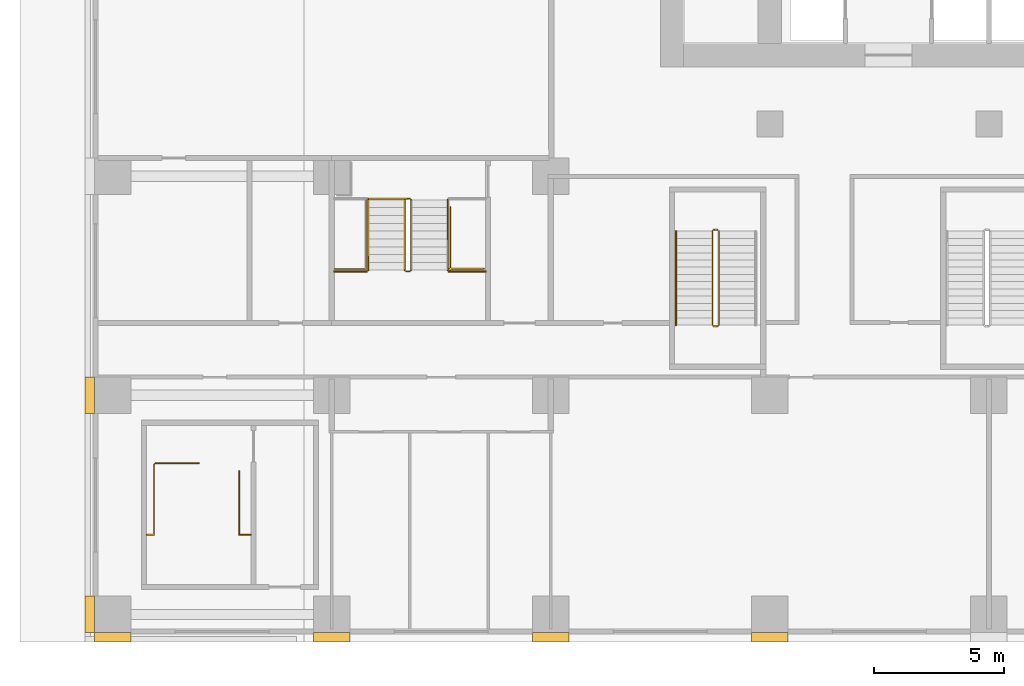
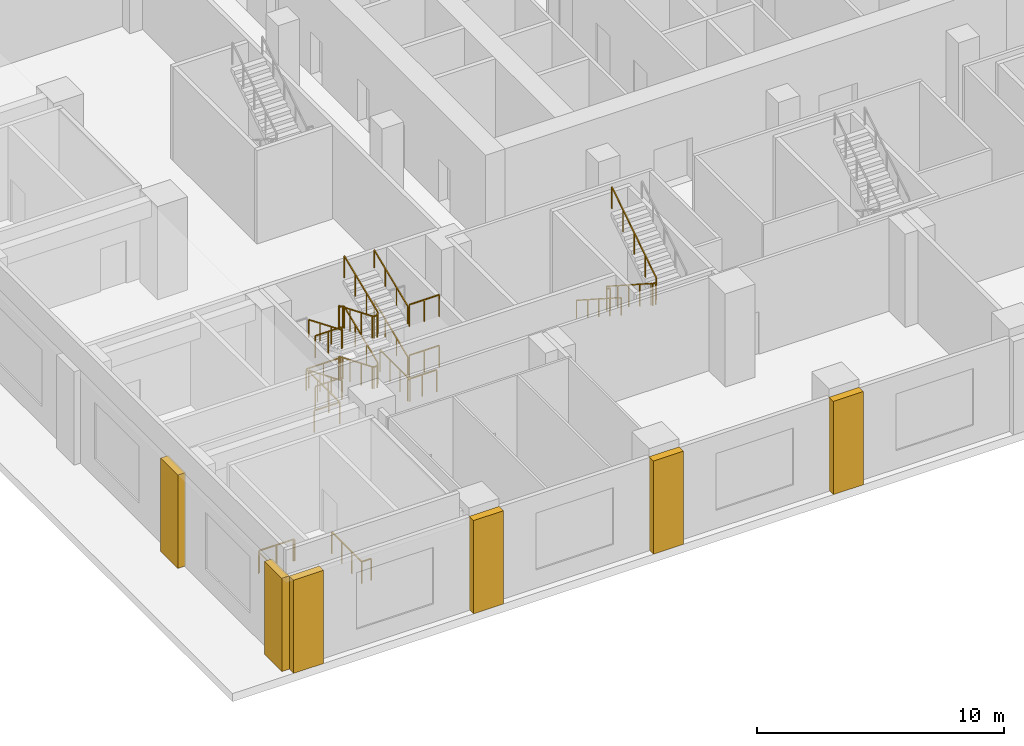
# One storey, part 20 of 29: 16 railings, 6 coverings.
"""IFC4 building model written with IfcOpenShell, lengths in metres."""

from ifc_helpers import new_model, si_unit, direction, frame, origin, origin_2d, place, context, subcontext, project, spatial, polyline, rectangle, outline, extrude, material, type_object, element, save


model = new_model("IFC4")

# Units and contexts
model_context = context("Model", 3, precision=1e-05, world=origin(), true_north=direction((0.0, 1.0)))
body_context = subcontext(model_context, "Body", "Model", "MODEL_VIEW")
ifc_project = project(units=[si_unit("LENGTHUNIT", "METRE"), si_unit("AREAUNIT", "SQUARE_METRE"), si_unit("VOLUMEUNIT", "CUBIC_METRE"), si_unit("PLANEANGLEUNIT", "RADIAN"), si_unit("MASSUNIT", "GRAM", prefix="KILO")], contexts=[model_context])

# Site, building, storey
site_placement = place(None, origin())
site = spatial("IfcSite", under=ifc_project, at=site_placement, CompositionType="ELEMENT")
building_placement = place(site_placement, origin())
building = spatial("IfcBuilding", under=site, at=building_placement, Name="Vermilion Ogive Tower", CompositionType="ELEMENT")
storey_placement = place(building_placement, frame((0.0, 0.0, 7.5)))
storey = spatial("IfcBuildingStorey", under=building, at=storey_placement, Name="L01", CompositionType="ELEMENT", Elevation=7.5)

# Railings
ifc_material_1 = material(Name="Steel S355 painted", Category="steel")
railing_type_1 = type_object("IfcRailingType", Name="Stair guard 1100", PredefinedType="GUARDRAIL", material=ifc_material_1)
railing_1_placement = place(storey_placement, frame((-10.39990234375, -14.64990234375, 0.0)))
element("IfcRailing", 1, at=railing_1_placement, inside=storey, type_object=railing_type_1, Name="L01 ST3 stair guard 4", PredefinedType="GUARDRAIL", context=body_context, shape_type="SweptSolid", body=[
    extrude(rectangle(XDim=0.048095703125, YDim=0.048095703125, at=origin_2d()), frame((0.0, 0.0, 1.076171875), z_axis=(-1.0, 0.0, 0.0), x_axis=(0.0, -1.0, 0.0)), (0.0, 0.0, 1.0), 0.150146484375),
    extrude(rectangle(XDim=0.048095703125, YDim=0.048095703125, at=origin_2d()), frame((-0.150146484375, 0.0, 1.076171875), z_axis=(-0.260684529273, -0.260684529273, 0.929562882432), x_axis=(0.707106781187, -0.707106781187, 0.0)), (0.0, 0.0, 1.0), 0.19189453125),
    extrude(rectangle(XDim=0.048095703125, YDim=0.048095703125, at=origin_2d()), frame((-0.2001953125, -0.050048828125, 1.25439453125), z_axis=(0.0, -0.840414717549, 0.541943818607), x_axis=(1.0, 0.0, 0.0)), (0.0, 0.0, 1.0), 4.28369140625),
    extrude(rectangle(XDim=0.048095703125, YDim=0.048095703125, at=origin_2d()), frame((-0.2001953125, -3.650146484375, 3.576171875), z_axis=(0.707106781187, -0.707106781187, 0.0), x_axis=(0.707106781187, 0.707106781187, 0.0)), (0.0, 0.0, 1.0), 0.07080078125),
    extrude(rectangle(XDim=0.048095703125, YDim=0.048095703125, at=origin_2d()), frame((-0.150146484375, -3.7001953125, 3.576171875), z_axis=(1.0, 0.0, 0.0), x_axis=(0.0, 1.0, 0.0)), (0.0, 0.0, 1.0), 0.150146484375),
    extrude(rectangle(XDim=0.048095703125, YDim=0.048095703125, at=origin_2d()), frame((0.0, -3.7001953125, 3.576171875), z_axis=(0.25949872427, 0.26077077684, 0.929870428634), x_axis=(-0.708833529934, 0.705375805398, 0.0)), (0.0, 0.0, 1.0), 0.19189453125),
    extrude(rectangle(XDim=0.048095703125, YDim=0.048095703125, at=origin_2d()), frame((0.0498046875, -3.650146484375, 3.75439453125), z_axis=(0.0, 0.840414717549, 0.541943818607), x_axis=(-1.0, 0.0, 0.0)), (0.0, 0.0, 1.0), 4.28369140625),
    extrude(rectangle(XDim=0.0419921875, YDim=0.0419921875, at=origin_2d()), origin(), (0.0, 0.0, 1.0), 1.052001953125),
    extrude(rectangle(XDim=0.0419921875, YDim=0.0419921875, at=origin_2d()), frame((-0.150146484375, 0.0, 0.0)), (0.0, 0.0, 1.0), 1.052001953125),
    extrude(rectangle(XDim=0.0419921875, YDim=0.0419921875, at=origin_2d()), frame((-0.2001953125, -0.050048828125, 0.178466796875)), (0.0, 0.0, 1.0), 1.052001953125),
    extrude(rectangle(XDim=0.0419921875, YDim=0.0419921875, at=origin_2d()), frame((-0.2001953125, -0.9501953125, 0.7587890625)), (0.0, 0.0, 1.0), 1.052001953125),
    extrude(rectangle(XDim=0.0419921875, YDim=0.0419921875, at=origin_2d()), frame((-0.2001953125, -1.85009765625, 1.33935546875)), (0.0, 0.0, 1.0), 1.052001953125),
    extrude(rectangle(XDim=0.0419921875, YDim=0.0419921875, at=origin_2d()), frame((-0.2001953125, -2.75, 1.919677734375)), (0.0, 0.0, 1.0), 1.052001953125),
    extrude(rectangle(XDim=0.0419921875, YDim=0.0419921875, at=origin_2d()), frame((-0.2001953125, -3.650146484375, 2.5)), (0.0, 0.0, 1.0), 1.052001953125),
    extrude(rectangle(XDim=0.0419921875, YDim=0.0419921875, at=origin_2d()), frame((-0.150146484375, -3.7001953125, 2.5)), (0.0, 0.0, 1.0), 1.052001953125),
    extrude(rectangle(XDim=0.0419921875, YDim=0.0419921875, at=origin_2d()), frame((0.0, -3.7001953125, 2.5)), (0.0, 0.0, 1.0), 1.052001953125),
    extrude(rectangle(XDim=0.0419921875, YDim=0.0419921875, at=origin_2d()), frame((0.0498046875, -3.650146484375, 2.678466796875)), (0.0, 0.0, 1.0), 1.052001953125),
    extrude(rectangle(XDim=0.0419921875, YDim=0.0419921875, at=origin_2d()), frame((0.0498046875, -2.75, 3.2587890625)), (0.0, 0.0, 1.0), 1.052001953125),
    extrude(rectangle(XDim=0.0419921875, YDim=0.0419921875, at=origin_2d()), frame((0.0498046875, -1.85009765625, 3.83935546875)), (0.0, 0.0, 1.0), 1.052001953125),
    extrude(rectangle(XDim=0.0419921875, YDim=0.0419921875, at=origin_2d()), frame((0.0498046875, -0.9501953125, 4.419677734375)), (0.0, 0.0, 1.0), 1.052001953125),
    extrude(rectangle(XDim=0.0419921875, YDim=0.0419921875, at=origin_2d()), frame((0.0498046875, -0.050048828125, 5.0)), (0.0, 0.0, 1.0), 1.052001953125),
])
railing_2_placement = place(storey_placement, frame((-22.199951171875, -13.449951171875, 0.0)))
element("IfcRailing", 2, at=railing_2_placement, inside=storey, type_object=railing_type_1, Name="L01 PS4 stair guard 8", PredefinedType="GUARDRAIL", context=body_context, shape_type="SweptSolid", body=[
    extrude(rectangle(XDim=0.048095703125, YDim=0.048095703125, at=origin_2d()), frame((0.0, 0.0, 1.076171875), z_axis=(-1.0, 0.0, 0.0), x_axis=(0.0, -1.0, 0.0)), (0.0, 0.0, 1.0), 0.150146484375),
    extrude(rectangle(XDim=0.048095703125, YDim=0.048095703125, at=origin_2d()), frame((-0.150146484375, 0.0, 1.076171875), z_axis=(-0.346918206498, -0.348618785942, 0.870696675133), x_axis=(0.708833529934, -0.705375805398, 0.0)), (0.0, 0.0, 1.0), 0.1435546875),
    extrude(rectangle(XDim=0.048095703125, YDim=0.048095703125, at=origin_2d()), frame((-0.199951171875, -0.050048828125, 1.201171875), z_axis=(0.0, -0.923074453586, 0.384621311341), x_axis=(1.0, 0.0, 0.0)), (0.0, 0.0, 1.0), 2.925048828125),
    extrude(rectangle(XDim=0.048095703125, YDim=0.048095703125, at=origin_2d()), frame((-0.199951171875, -2.75, 2.326171875), z_axis=(0.705375805398, -0.708833529934, 0.0), x_axis=(0.708833529934, 0.705375805398, 0.0)), (0.0, 0.0, 1.0), 0.070556640625),
    extrude(rectangle(XDim=0.048095703125, YDim=0.048095703125, at=origin_2d()), frame((-0.150146484375, -2.800048828125, 2.326171875), z_axis=(1.0, 0.0, 0.0), x_axis=(0.0, 1.0, 0.0)), (0.0, 0.0, 1.0), 0.150146484375),
    extrude(rectangle(XDim=0.048095703125, YDim=0.048095703125, at=origin_2d()), frame((0.0, -2.800048828125, 2.326171875), z_axis=(0.34841279274, 0.34841279274, 0.870182194549), x_axis=(-0.707106781187, 0.707106781187, 0.0)), (0.0, 0.0, 1.0), 0.1435546875),
    extrude(rectangle(XDim=0.048095703125, YDim=0.048095703125, at=origin_2d()), frame((0.050048828125, -2.75, 2.451171875), z_axis=(0.0, 0.923074453586, 0.384621311341), x_axis=(-1.0, 0.0, 0.0)), (0.0, 0.0, 1.0), 2.925048828125),
    extrude(rectangle(XDim=0.048095703125, YDim=0.048095703125, at=origin_2d()), frame((0.050048828125, -0.050048828125, 3.576171875), z_axis=(-0.707106781187, 0.707106781187, 0.0), x_axis=(-0.707106781187, -0.707106781187, 0.0)), (0.0, 0.0, 1.0), 0.07080078125),
    extrude(rectangle(XDim=0.048095703125, YDim=0.048095703125, at=origin_2d()), frame((0.0, 0.0, 3.576171875), z_axis=(-1.0, 0.0, 0.0), x_axis=(0.0, -1.0, 0.0)), (0.0, 0.0, 1.0), 0.150146484375),
    extrude(rectangle(XDim=0.048095703125, YDim=0.048095703125, at=origin_2d()), frame((-0.150146484375, 0.0, 3.576171875), z_axis=(-0.346918206498, -0.348618785942, 0.870696675133), x_axis=(0.708833529934, -0.705375805398, 0.0)), (0.0, 0.0, 1.0), 0.1435546875),
    extrude(rectangle(XDim=0.048095703125, YDim=0.048095703125, at=origin_2d()), frame((-0.199951171875, -0.050048828125, 3.701171875), z_axis=(0.0, -0.923074453586, 0.384621311341), x_axis=(1.0, 0.0, 0.0)), (0.0, 0.0, 1.0), 2.925048828125),
    extrude(rectangle(XDim=0.048095703125, YDim=0.048095703125, at=origin_2d()), frame((-0.199951171875, -2.75, 4.826171875), z_axis=(0.705375805398, -0.708833529934, 0.0), x_axis=(0.708833529934, 0.705375805398, 0.0)), (0.0, 0.0, 1.0), 0.070556640625),
    extrude(rectangle(XDim=0.048095703125, YDim=0.048095703125, at=origin_2d()), frame((-0.150146484375, -2.800048828125, 4.826171875), z_axis=(1.0, 0.0, 0.0), x_axis=(0.0, 1.0, 0.0)), (0.0, 0.0, 1.0), 0.150146484375),
    extrude(rectangle(XDim=0.048095703125, YDim=0.048095703125, at=origin_2d()), frame((0.0, -2.800048828125, 4.826171875), z_axis=(0.34841279274, 0.34841279274, 0.870182194549), x_axis=(-0.707106781187, 0.707106781187, 0.0)), (0.0, 0.0, 1.0), 0.1435546875),
    extrude(rectangle(XDim=0.048095703125, YDim=0.048095703125, at=origin_2d()), frame((0.050048828125, -2.75, 4.951171875), z_axis=(0.0, 0.923074453586, 0.384621311341), x_axis=(-1.0, 0.0, 0.0)), (0.0, 0.0, 1.0), 2.925048828125),
    extrude(rectangle(XDim=0.0419921875, YDim=0.0419921875, at=origin_2d()), origin(), (0.0, 0.0, 1.0), 1.052001953125),
    extrude(rectangle(XDim=0.0419921875, YDim=0.0419921875, at=origin_2d()), frame((-0.150146484375, 0.0, 0.0)), (0.0, 0.0, 1.0), 1.052001953125),
    extrude(rectangle(XDim=0.0419921875, YDim=0.0419921875, at=origin_2d()), frame((-0.199951171875, -0.050048828125, 0.125)), (0.0, 0.0, 1.0), 1.052001953125),
    extrude(rectangle(XDim=0.0419921875, YDim=0.0419921875, at=origin_2d()), frame((-0.199951171875, -0.949951171875, 0.5)), (0.0, 0.0, 1.0), 1.052001953125),
    extrude(rectangle(XDim=0.0419921875, YDim=0.0419921875, at=origin_2d()), frame((-0.199951171875, -1.85009765625, 0.875)), (0.0, 0.0, 1.0), 1.052001953125),
    extrude(rectangle(XDim=0.0419921875, YDim=0.0419921875, at=origin_2d()), frame((-0.199951171875, -2.75, 1.25)), (0.0, 0.0, 1.0), 1.052001953125),
    extrude(rectangle(XDim=0.0419921875, YDim=0.0419921875, at=origin_2d()), frame((-0.150146484375, -2.800048828125, 1.25)), (0.0, 0.0, 1.0), 1.052001953125),
    extrude(rectangle(XDim=0.0419921875, YDim=0.0419921875, at=origin_2d()), frame((0.0, -2.800048828125, 1.25)), (0.0, 0.0, 1.0), 1.052001953125),
    extrude(rectangle(XDim=0.0419921875, YDim=0.0419921875, at=origin_2d()), frame((0.050048828125, -2.75, 1.375)), (0.0, 0.0, 1.0), 1.052001953125),
    extrude(rectangle(XDim=0.0419921875, YDim=0.0419921875, at=origin_2d()), frame((0.050048828125, -1.85009765625, 1.75)), (0.0, 0.0, 1.0), 1.052001953125),
    extrude(rectangle(XDim=0.0419921875, YDim=0.0419921875, at=origin_2d()), frame((0.050048828125, -0.949951171875, 2.125)), (0.0, 0.0, 1.0), 1.052001953125),
    extrude(rectangle(XDim=0.0419921875, YDim=0.0419921875, at=origin_2d()), frame((0.050048828125, -0.050048828125, 2.5)), (0.0, 0.0, 1.0), 1.052001953125),
    extrude(rectangle(XDim=0.0419921875, YDim=0.0419921875, at=origin_2d()), frame((0.0, 0.0, 2.5)), (0.0, 0.0, 1.0), 1.052001953125),
    extrude(rectangle(XDim=0.0419921875, YDim=0.0419921875, at=origin_2d()), frame((-0.150146484375, 0.0, 2.5)), (0.0, 0.0, 1.0), 1.052001953125),
    extrude(rectangle(XDim=0.0419921875, YDim=0.0419921875, at=origin_2d()), frame((-0.199951171875, -0.050048828125, 2.625)), (0.0, 0.0, 1.0), 1.052001953125),
    extrude(rectangle(XDim=0.0419921875, YDim=0.0419921875, at=origin_2d()), frame((-0.199951171875, -0.949951171875, 3.0)), (0.0, 0.0, 1.0), 1.052001953125),
    extrude(rectangle(XDim=0.0419921875, YDim=0.0419921875, at=origin_2d()), frame((-0.199951171875, -1.85009765625, 3.375)), (0.0, 0.0, 1.0), 1.052001953125),
    extrude(rectangle(XDim=0.0419921875, YDim=0.0419921875, at=origin_2d()), frame((-0.199951171875, -2.75, 3.75)), (0.0, 0.0, 1.0), 1.052001953125),
    extrude(rectangle(XDim=0.0419921875, YDim=0.0419921875, at=origin_2d()), frame((-0.150146484375, -2.800048828125, 3.75)), (0.0, 0.0, 1.0), 1.052001953125),
    extrude(rectangle(XDim=0.0419921875, YDim=0.0419921875, at=origin_2d()), frame((0.0, -2.800048828125, 3.75)), (0.0, 0.0, 1.0), 1.052001953125),
    extrude(rectangle(XDim=0.0419921875, YDim=0.0419921875, at=origin_2d()), frame((0.050048828125, -2.75, 3.875)), (0.0, 0.0, 1.0), 1.052001953125),
    extrude(rectangle(XDim=0.0419921875, YDim=0.0419921875, at=origin_2d()), frame((0.050048828125, -1.85009765625, 4.25)), (0.0, 0.0, 1.0), 1.052001953125),
    extrude(rectangle(XDim=0.0419921875, YDim=0.0419921875, at=origin_2d()), frame((0.050048828125, -0.949951171875, 4.625)), (0.0, 0.0, 1.0), 1.052001953125),
    extrude(rectangle(XDim=0.0419921875, YDim=0.0419921875, at=origin_2d()), frame((0.050048828125, -0.050048828125, 5.0)), (0.0, 0.0, 1.0), 1.052001953125),
])
railing_3_placement = place(storey_placement, frame((-31.949951171875, -23.60009765625, 0.0)))
element("IfcRailing", 3, at=railing_3_placement, inside=storey, type_object=railing_type_1, Name="L01 PWS top well guard 1", PredefinedType="GUARDRAIL", context=body_context, shape_type="SweptSolid", body=[
    extrude(rectangle(XDim=0.048095703125, YDim=0.048095703125, at=origin_2d()), frame((0.0, 0.0, 1.076171875), z_axis=(1.0, 0.0, 0.0), x_axis=(0.0, 1.0, 0.0)), (0.0, 0.0, 1.0), 1.64990234375),
    extrude(rectangle(XDim=0.0419921875, YDim=0.0419921875, at=origin_2d()), origin(), (0.0, 0.0, 1.0), 1.052001953125),
    extrude(rectangle(XDim=0.0419921875, YDim=0.0419921875, at=origin_2d()), frame((0.824951171875, 0.0, 0.0)), (0.0, 0.0, 1.0), 1.052001953125),
    extrude(rectangle(XDim=0.0419921875, YDim=0.0419921875, at=origin_2d()), frame((1.64990234375, 0.0, 0.0)), (0.0, 0.0, 1.0), 1.052001953125),
])
railing_4_placement = place(storey_placement, frame((-25.099853515625, -16.25, 1.25)))
element("IfcRailing", 4, at=railing_4_placement, inside=storey, type_object=railing_type_1, Name="L01 landing guard", PredefinedType="GUARDRAIL", context=body_context, shape_type="SweptSolid", body=[
    extrude(rectangle(XDim=0.048095703125, YDim=0.048095703125, at=origin_2d()), frame((0.0, 0.0, 1.076171875), z_axis=(1.0, 0.0, 0.0), x_axis=(0.0, 1.0, 0.0)), (0.0, 0.0, 1.0), 1.249755859375),
    extrude(rectangle(XDim=0.0419921875, YDim=0.0419921875, at=origin_2d()), origin(), (0.0, 0.0, 1.0), 1.052001953125),
    extrude(rectangle(XDim=0.0419921875, YDim=0.0419921875, at=origin_2d()), frame((0.625, 0.0, 0.0)), (0.0, 0.0, 1.0), 1.052001953125),
    extrude(rectangle(XDim=0.0419921875, YDim=0.0419921875, at=origin_2d()), frame((1.249755859375, 0.0, 0.0)), (0.0, 0.0, 1.0), 1.052001953125),
])
railing_5_placement = place(storey_placement, frame((-20.699951171875, -16.25, 1.25)))
element("IfcRailing", 5, at=railing_5_placement, inside=storey, type_object=railing_type_1, Name="L01 landing guard", PredefinedType="GUARDRAIL", context=body_context, shape_type="SweptSolid", body=[
    extrude(rectangle(XDim=0.048095703125, YDim=0.048095703125, at=origin_2d()), frame((0.0, 0.0, 1.076171875), z_axis=(1.0, 0.0, 0.0), x_axis=(0.0, 1.0, 0.0)), (0.0, 0.0, 1.0), 1.39990234375),
    extrude(rectangle(XDim=0.0419921875, YDim=0.0419921875, at=origin_2d()), origin(), (0.0, 0.0, 1.0), 1.052001953125),
    extrude(rectangle(XDim=0.0419921875, YDim=0.0419921875, at=origin_2d()), frame((0.699951171875, 0.0, 0.0)), (0.0, 0.0, 1.0), 1.052001953125),
    extrude(rectangle(XDim=0.0419921875, YDim=0.0419921875, at=origin_2d()), frame((1.39990234375, 0.0, 0.0)), (0.0, 0.0, 1.0), 1.052001953125),
])
railing_6_placement = place(storey_placement, frame((-25.099853515625, -16.25, 3.75)))
element("IfcRailing", 6, at=railing_6_placement, inside=storey, type_object=railing_type_1, Name="L01 landing guard", PredefinedType="GUARDRAIL", context=body_context, shape_type="SweptSolid", body=[
    extrude(rectangle(XDim=0.048095703125, YDim=0.048095703125, at=origin_2d()), frame((0.0, 0.0, 1.076171875), z_axis=(1.0, 0.0, 0.0), x_axis=(0.0, 1.0, 0.0)), (0.0, 0.0, 1.0), 1.249755859375),
    extrude(rectangle(XDim=0.0419921875, YDim=0.0419921875, at=origin_2d()), origin(), (0.0, 0.0, 1.0), 1.052001953125),
    extrude(rectangle(XDim=0.0419921875, YDim=0.0419921875, at=origin_2d()), frame((0.625, 0.0, 0.0)), (0.0, 0.0, 1.0), 1.052001953125),
    extrude(rectangle(XDim=0.0419921875, YDim=0.0419921875, at=origin_2d()), frame((1.249755859375, 0.0, 0.0)), (0.0, 0.0, 1.0), 1.052001953125),
])
railing_7_placement = place(storey_placement, frame((-20.699951171875, -16.25, 3.75)))
element("IfcRailing", 7, at=railing_7_placement, inside=storey, type_object=railing_type_1, Name="L01 landing guard", PredefinedType="GUARDRAIL", context=body_context, shape_type="SweptSolid", body=[
    extrude(rectangle(XDim=0.048095703125, YDim=0.048095703125, at=origin_2d()), frame((0.0, 0.0, 1.076171875), z_axis=(1.0, 0.0, 0.0), x_axis=(0.0, 1.0, 0.0)), (0.0, 0.0, 1.0), 1.39990234375),
    extrude(rectangle(XDim=0.0419921875, YDim=0.0419921875, at=origin_2d()), origin(), (0.0, 0.0, 1.0), 1.052001953125),
    extrude(rectangle(XDim=0.0419921875, YDim=0.0419921875, at=origin_2d()), frame((0.699951171875, 0.0, 0.0)), (0.0, 0.0, 1.0), 1.052001953125),
    extrude(rectangle(XDim=0.0419921875, YDim=0.0419921875, at=origin_2d()), frame((1.39990234375, 0.0, 0.0)), (0.0, 0.0, 1.0), 1.052001953125),
])
railing_8_placement = place(storey_placement, frame((-25.081787109375, -16.156982421875, 0.0)))
element("IfcRailing", 8, at=railing_8_placement, inside=storey, type_object=railing_type_1, Name="L01 stair opening guard", PredefinedType="GUARDRAIL", context=body_context, shape_type="SweptSolid", body=[
    extrude(rectangle(XDim=0.048095703125, YDim=0.048095703125, at=origin_2d()), frame((0.0, 0.0, 1.076171875), z_axis=(1.0, 0.0, 0.0), x_axis=(0.0, 1.0, 0.0)), (0.0, 0.0, 1.0), 1.18994140625),
    extrude(rectangle(XDim=0.048095703125, YDim=0.048095703125, at=origin_2d()), frame((1.18994140625, 0.0, 1.076171875), z_axis=(0.0, 1.0, 0.0), x_axis=(-1.0, 0.0, 0.0)), (0.0, 0.0, 1.0), 2.7001953125),
    extrude(rectangle(XDim=0.048095703125, YDim=0.048095703125, at=origin_2d()), frame((1.18994140625, 2.7001953125, 1.076171875), z_axis=(1.0, 0.0, 0.0), x_axis=(0.0, 1.0, 0.0)), (0.0, 0.0, 1.0), 1.60009765625),
    extrude(rectangle(XDim=0.0419921875, YDim=0.0419921875, at=origin_2d()), origin(), (0.0, 0.0, 1.0), 1.052001953125),
    extrude(rectangle(XDim=0.0419921875, YDim=0.0419921875, at=origin_2d()), frame((1.18994140625, 0.0, 0.0)), (0.0, 0.0, 1.0), 1.052001953125),
    extrude(rectangle(XDim=0.0419921875, YDim=0.0419921875, at=origin_2d()), frame((1.18994140625, 0.900146484375, 0.0)), (0.0, 0.0, 1.0), 1.052001953125),
    extrude(rectangle(XDim=0.0419921875, YDim=0.0419921875, at=origin_2d()), frame((1.18994140625, 1.800048828125, 0.0)), (0.0, 0.0, 1.0), 1.052001953125),
    extrude(rectangle(XDim=0.0419921875, YDim=0.0419921875, at=origin_2d()), frame((1.18994140625, 2.7001953125, 0.0)), (0.0, 0.0, 1.0), 1.052001953125),
    extrude(rectangle(XDim=0.0419921875, YDim=0.0419921875, at=origin_2d()), frame((1.989990234375, 2.7001953125, 0.0)), (0.0, 0.0, 1.0), 1.052001953125),
    extrude(rectangle(XDim=0.0419921875, YDim=0.0419921875, at=origin_2d()), frame((2.7900390625, 2.7001953125, 0.0)), (0.0, 0.0, 1.0), 1.052001953125),
])
railing_9_placement = place(storey_placement, frame((-20.639892578125, -13.775634765625, 0.0)))
element("IfcRailing", 9, at=railing_9_placement, inside=storey, type_object=railing_type_1, Name="L01 stair opening guard", PredefinedType="GUARDRAIL", context=body_context, shape_type="SweptSolid", body=[
    extrude(rectangle(XDim=0.048095703125, YDim=0.048095703125, at=origin_2d()), frame((0.0, 0.0, 1.076171875), z_axis=(0.0, -1.0, 0.0), x_axis=(1.0, 0.0, 0.0)), (0.0, 0.0, 1.0), 2.42431640625),
    extrude(rectangle(XDim=0.048095703125, YDim=0.048095703125, at=origin_2d()), frame((0.0, -2.42431640625, 1.076171875), z_axis=(-0.707106781187, 0.707106781187, 0.0), x_axis=(-0.707106781187, -0.707106781187, 0.0)), (0.0, 0.0, 1.0), 0.0849609375),
    extrude(rectangle(XDim=0.048095703125, YDim=0.048095703125, at=origin_2d()), frame((-0.06005859375, -2.3642578125, 1.076171875), z_axis=(1.0, 0.0, 0.0), x_axis=(0.0, 1.0, 0.0)), (0.0, 0.0, 1.0), 1.33984375),
    extrude(rectangle(XDim=0.0419921875, YDim=0.0419921875, at=origin_2d()), origin(), (0.0, 0.0, 1.0), 1.052001953125),
    extrude(rectangle(XDim=0.0419921875, YDim=0.0419921875, at=origin_2d()), frame((0.0, -0.80810546875, 0.0)), (0.0, 0.0, 1.0), 1.052001953125),
    extrude(rectangle(XDim=0.0419921875, YDim=0.0419921875, at=origin_2d()), frame((0.0, -1.6162109375, 0.0)), (0.0, 0.0, 1.0), 1.052001953125),
    extrude(rectangle(XDim=0.0419921875, YDim=0.0419921875, at=origin_2d()), frame((0.0, -2.42431640625, 0.0)), (0.0, 0.0, 1.0), 1.052001953125),
    extrude(rectangle(XDim=0.0419921875, YDim=0.0419921875, at=origin_2d()), frame((-0.06005859375, -2.3642578125, 0.0)), (0.0, 0.0, 1.0), 1.052001953125),
    extrude(rectangle(XDim=0.0419921875, YDim=0.0419921875, at=origin_2d()), frame((0.60986328125, -2.3642578125, 0.0)), (0.0, 0.0, 1.0), 1.052001953125),
    extrude(rectangle(XDim=0.0419921875, YDim=0.0419921875, at=origin_2d()), frame((1.27978515625, -2.3642578125, 0.0)), (0.0, 0.0, 1.0), 1.052001953125),
])
railing_10_placement = place(storey_placement, frame((-28.740966796875, -23.9150390625, 0.0)))
element("IfcRailing", 10, at=railing_10_placement, inside=storey, type_object=railing_type_1, Name="L01 stair opening guard", PredefinedType="GUARDRAIL", context=body_context, shape_type="SweptSolid", body=[
    extrude(rectangle(XDim=0.048095703125, YDim=0.048095703125, at=origin_2d()), frame((0.0, 0.0, 1.076171875), z_axis=(0.0, -1.0, 0.0), x_axis=(1.0, 0.0, 0.0)), (0.0, 0.0, 1.0), 2.42431640625),
    extrude(rectangle(XDim=0.048095703125, YDim=0.048095703125, at=origin_2d()), frame((0.0, -2.42431640625, 1.076171875), z_axis=(1.0, 0.0, 0.0), x_axis=(0.0, 1.0, 0.0)), (0.0, 0.0, 1.0), 0.440185546875),
    extrude(rectangle(XDim=0.0419921875, YDim=0.0419921875, at=origin_2d()), origin(), (0.0, 0.0, 1.0), 1.052001953125),
    extrude(rectangle(XDim=0.0419921875, YDim=0.0419921875, at=origin_2d()), frame((0.0, -0.80810546875, 0.0)), (0.0, 0.0, 1.0), 1.052001953125),
    extrude(rectangle(XDim=0.0419921875, YDim=0.0419921875, at=origin_2d()), frame((0.0, -1.6162109375, 0.0)), (0.0, 0.0, 1.0), 1.052001953125),
    extrude(rectangle(XDim=0.0419921875, YDim=0.0419921875, at=origin_2d()), frame((0.0, -2.42431640625, 0.0)), (0.0, 0.0, 1.0), 1.052001953125),
    extrude(rectangle(XDim=0.0419921875, YDim=0.0419921875, at=origin_2d()), frame((0.440185546875, -2.42431640625, 0.0)), (0.0, 0.0, 1.0), 1.052001953125),
])
railing_11_placement = place(storey_placement, frame((-32.299560546875, -26.343505859375, 0.0)))
element("IfcRailing", 11, at=railing_11_placement, inside=storey, type_object=railing_type_1, Name="L01 stair opening guard", PredefinedType="GUARDRAIL", context=body_context, shape_type="SweptSolid", body=[
    extrude(rectangle(XDim=0.048095703125, YDim=0.048095703125, at=origin_2d()), frame((0.0, 0.0, 1.076171875), z_axis=(1.0, 0.0, 0.0), x_axis=(0.0, 1.0, 0.0)), (0.0, 0.0, 1.0), 0.2900390625),
    extrude(rectangle(XDim=0.048095703125, YDim=0.048095703125, at=origin_2d()), frame((0.2900390625, 0.0, 1.076171875), z_axis=(0.0, 1.0, 0.0), x_axis=(-1.0, 0.0, 0.0)), (0.0, 0.0, 1.0), 2.699951171875),
    extrude(rectangle(XDim=0.048095703125, YDim=0.048095703125, at=origin_2d()), frame((0.2900390625, 2.699951171875, 1.076171875), z_axis=(0.742688444175, 0.669637121797, 0.0), x_axis=(-0.669637121797, 0.742688444175, 0.0)), (0.0, 0.0, 1.0), 0.080322265625),
    extrude(rectangle(XDim=0.048095703125, YDim=0.048095703125, at=origin_2d()), frame((0.349609375, 2.753662109375, 1.076171875), z_axis=(1.0, 0.0, 0.0), x_axis=(0.0, 1.0, 0.0)), (0.0, 0.0, 1.0), 1.599853515625),
    extrude(rectangle(XDim=0.0419921875, YDim=0.0419921875, at=origin_2d()), origin(), (0.0, 0.0, 1.0), 1.052001953125),
    extrude(rectangle(XDim=0.0419921875, YDim=0.0419921875, at=origin_2d()), frame((0.2900390625, 0.0, 0.0)), (0.0, 0.0, 1.0), 1.052001953125),
    extrude(rectangle(XDim=0.0419921875, YDim=0.0419921875, at=origin_2d()), frame((0.2900390625, 0.89990234375, 0.0)), (0.0, 0.0, 1.0), 1.052001953125),
    extrude(rectangle(XDim=0.0419921875, YDim=0.0419921875, at=origin_2d()), frame((0.2900390625, 1.800048828125, 0.0)), (0.0, 0.0, 1.0), 1.052001953125),
    extrude(rectangle(XDim=0.0419921875, YDim=0.0419921875, at=origin_2d()), frame((0.2900390625, 2.699951171875, 0.0)), (0.0, 0.0, 1.0), 1.052001953125),
    extrude(rectangle(XDim=0.0419921875, YDim=0.0419921875, at=origin_2d()), frame((0.349609375, 2.753662109375, 0.0)), (0.0, 0.0, 1.0), 1.052001953125),
    extrude(rectangle(XDim=0.0419921875, YDim=0.0419921875, at=origin_2d()), frame((1.1494140625, 2.753662109375, 0.0)), (0.0, 0.0, 1.0), 1.052001953125),
    extrude(rectangle(XDim=0.0419921875, YDim=0.0419921875, at=origin_2d()), frame((1.949462890625, 2.753662109375, 0.0)), (0.0, 0.0, 1.0), 1.052001953125),
])
ifc_material_2 = material(Name="Stainless steel", Category="steel")
railing_type_2 = type_object("IfcRailingType", Name="Stair handrail 900", PredefinedType="HANDRAIL", material=ifc_material_2)
railing_12_placement = place(storey_placement, frame((-12.0, -14.699951171875, 0.178466796875)))
element("IfcRailing", 12, at=railing_12_placement, inside=storey, type_object=railing_type_2, Name="L01 ST3 stair handrail 1", PredefinedType="HANDRAIL", context=body_context, shape_type="SweptSolid", body=[
    extrude(rectangle(XDim=0.048095703125, YDim=0.048095703125, at=origin_2d()), frame((0.0, 0.0, 0.8759765625), z_axis=(0.0, -0.840414717549, 0.541943818607), x_axis=(1.0, 0.0, 0.0)), (0.0, 0.0, 1.0), 4.28369140625),
    extrude(rectangle(XDim=0.0419921875, YDim=0.0419921875, at=origin_2d()), origin(), (0.0, 0.0, 1.0), 0.851806640625),
    extrude(rectangle(XDim=0.0419921875, YDim=0.0419921875, at=origin_2d()), frame((0.0, -0.89990234375, 0.580322265625)), (0.0, 0.0, 1.0), 0.851806640625),
    extrude(rectangle(XDim=0.0419921875, YDim=0.0419921875, at=origin_2d()), frame((0.0, -1.800048828125, 1.16064453125)), (0.0, 0.0, 1.0), 0.851806640625),
    extrude(rectangle(XDim=0.0419921875, YDim=0.0419921875, at=origin_2d()), frame((0.0, -2.7001953125, 1.7412109375)), (0.0, 0.0, 1.0), 0.851806640625),
    extrude(rectangle(XDim=0.0419921875, YDim=0.0419921875, at=origin_2d()), frame((0.0, -3.60009765625, 2.321533203125)), (0.0, 0.0, 1.0), 0.851806640625),
])
railing_13_placement = place(storey_placement, frame((-23.800048828125, -13.5, 0.125)))
element("IfcRailing", 13, at=railing_13_placement, inside=storey, type_object=railing_type_2, Name="L01 PS4 stair handrail 1", PredefinedType="HANDRAIL", context=body_context, shape_type="SweptSolid", body=[
    extrude(rectangle(XDim=0.048095703125, YDim=0.048095703125, at=origin_2d()), frame((0.0, 0.0, 0.8759765625), z_axis=(0.0, -0.923074453586, 0.384621311341), x_axis=(1.0, 0.0, 0.0)), (0.0, 0.0, 1.0), 2.925048828125),
    extrude(rectangle(XDim=0.0419921875, YDim=0.0419921875, at=origin_2d()), origin(), (0.0, 0.0, 1.0), 0.851806640625),
    extrude(rectangle(XDim=0.0419921875, YDim=0.0419921875, at=origin_2d()), frame((0.0, -0.89990234375, 0.375)), (0.0, 0.0, 1.0), 0.851806640625),
    extrude(rectangle(XDim=0.0419921875, YDim=0.0419921875, at=origin_2d()), frame((0.0, -1.800048828125, 0.75)), (0.0, 0.0, 1.0), 0.851806640625),
    extrude(rectangle(XDim=0.0419921875, YDim=0.0419921875, at=origin_2d()), frame((0.0, -2.699951171875, 1.125)), (0.0, 0.0, 1.0), 0.851806640625),
])
railing_14_placement = place(storey_placement, frame((-20.75, -16.199951171875, 1.375)))
element("IfcRailing", 14, at=railing_14_placement, inside=storey, type_object=railing_type_2, Name="L01 PS4 stair handrail 2", PredefinedType="HANDRAIL", context=body_context, shape_type="SweptSolid", body=[
    extrude(rectangle(XDim=0.048095703125, YDim=0.048095703125, at=origin_2d()), frame((0.0, 0.0, 0.8759765625), z_axis=(0.0, 0.923074453586, 0.384621311341), x_axis=(-1.0, 0.0, 0.0)), (0.0, 0.0, 1.0), 2.925048828125),
    extrude(rectangle(XDim=0.0419921875, YDim=0.0419921875, at=origin_2d()), origin(), (0.0, 0.0, 1.0), 0.851806640625),
    extrude(rectangle(XDim=0.0419921875, YDim=0.0419921875, at=origin_2d()), frame((0.0, 0.89990234375, 0.375)), (0.0, 0.0, 1.0), 0.851806640625),
    extrude(rectangle(XDim=0.0419921875, YDim=0.0419921875, at=origin_2d()), frame((0.0, 1.800048828125, 0.75)), (0.0, 0.0, 1.0), 0.851806640625),
    extrude(rectangle(XDim=0.0419921875, YDim=0.0419921875, at=origin_2d()), frame((0.0, 2.699951171875, 1.125)), (0.0, 0.0, 1.0), 0.851806640625),
])
railing_15_placement = place(storey_placement, frame((-23.800048828125, -13.5, 2.625)))
element("IfcRailing", 15, at=railing_15_placement, inside=storey, type_object=railing_type_2, Name="L01 PS4 stair handrail 3", PredefinedType="HANDRAIL", context=body_context, shape_type="SweptSolid", body=[
    extrude(rectangle(XDim=0.048095703125, YDim=0.048095703125, at=origin_2d()), frame((0.0, 0.0, 0.8759765625), z_axis=(0.0, -0.923074453586, 0.384621311341), x_axis=(1.0, 0.0, 0.0)), (0.0, 0.0, 1.0), 2.925048828125),
    extrude(rectangle(XDim=0.0419921875, YDim=0.0419921875, at=origin_2d()), origin(), (0.0, 0.0, 1.0), 0.851806640625),
    extrude(rectangle(XDim=0.0419921875, YDim=0.0419921875, at=origin_2d()), frame((0.0, -0.89990234375, 0.375)), (0.0, 0.0, 1.0), 0.851806640625),
    extrude(rectangle(XDim=0.0419921875, YDim=0.0419921875, at=origin_2d()), frame((0.0, -1.800048828125, 0.75)), (0.0, 0.0, 1.0), 0.851806640625),
    extrude(rectangle(XDim=0.0419921875, YDim=0.0419921875, at=origin_2d()), frame((0.0, -2.699951171875, 1.125)), (0.0, 0.0, 1.0), 0.851806640625),
])
railing_16_placement = place(storey_placement, frame((-20.75, -16.199951171875, 3.875)))
element("IfcRailing", 16, at=railing_16_placement, inside=storey, type_object=railing_type_2, Name="L01 PS4 stair handrail 4", PredefinedType="HANDRAIL", context=body_context, shape_type="SweptSolid", body=[
    extrude(rectangle(XDim=0.048095703125, YDim=0.048095703125, at=origin_2d()), frame((0.0, 0.0, 0.8759765625), z_axis=(0.0, 0.923074453586, 0.384621311341), x_axis=(-1.0, 0.0, 0.0)), (0.0, 0.0, 1.0), 2.925048828125),
    extrude(rectangle(XDim=0.0419921875, YDim=0.0419921875, at=origin_2d()), origin(), (0.0, 0.0, 1.0), 0.851806640625),
    extrude(rectangle(XDim=0.0419921875, YDim=0.0419921875, at=origin_2d()), frame((0.0, 0.89990234375, 0.375)), (0.0, 0.0, 1.0), 0.851806640625),
    extrude(rectangle(XDim=0.0419921875, YDim=0.0419921875, at=origin_2d()), frame((0.0, 1.800048828125, 0.75)), (0.0, 0.0, 1.0), 0.851806640625),
    extrude(rectangle(XDim=0.0419921875, YDim=0.0419921875, at=origin_2d()), frame((0.0, 2.699951171875, 1.125)), (0.0, 0.0, 1.0), 0.851806640625),
])

# Coverings
ifc_material_3 = material(Name="Stone cladding", Category="masonry")
covering_type = type_object("IfcCoveringType", Name="Stone pier", PredefinedType="CLADDING", material=ifc_material_3)
covering_1_placement = place(storey_placement, origin())
element("IfcCovering", 17, at=covering_1_placement, inside=storey, type_object=covering_type, Name="Stone pier P-084-294", PredefinedType="CLADDING", context=body_context, shape_type="SweptSolid", body=[
    extrude(outline(polyline([(-7.699951171875, -30.10009765625), (-7.699951171875, -30.449951171875), (-9.10009765625, -30.449951171875), (-9.10009765625, -30.10009765625), (-7.699951171875, -30.10009765625), (-7.699951171875, -30.10009765625)])), origin(), (0.0, 0.0, 1.0), 4.60009765625),
])
covering_2_placement = place(storey_placement, origin())
element("IfcCovering", 18, at=covering_2_placement, inside=storey, type_object=covering_type, Name="Stone pier P-168-294", PredefinedType="CLADDING", context=body_context, shape_type="SweptSolid", body=[
    extrude(outline(polyline([(-16.10009765625, -30.449951171875), (-17.5, -30.449951171875), (-17.5, -30.10009765625), (-16.10009765625, -30.10009765625), (-16.10009765625, -30.449951171875)])), origin(), (0.0, 0.0, 1.0), 4.60009765625),
])
covering_3_placement = place(storey_placement, origin())
element("IfcCovering", 19, at=covering_3_placement, inside=storey, type_object=covering_type, Name="Stone pier P-252-294", PredefinedType="CLADDING", context=body_context, shape_type="SweptSolid", body=[
    extrude(outline(polyline([(-24.5, -30.449951171875), (-25.89990234375, -30.449951171875), (-25.89990234375, -30.10009765625), (-24.5, -30.10009765625), (-24.5, -30.449951171875)])), origin(), (0.0, 0.0, 1.0), 4.60009765625),
])
covering_4_placement = place(storey_placement, origin())
element("IfcCovering", 20, at=covering_4_placement, inside=storey, type_object=covering_type, Name="Stone pier P-336-210", PredefinedType="CLADDING", context=body_context, shape_type="SweptSolid", body=[
    extrude(outline(polyline([(-34.300048828125, -21.699951171875), (-34.300048828125, -21.699951171875), (-34.64990234375, -21.699951171875), (-34.64990234375, -20.300048828125), (-34.300048828125, -20.300048828125), (-34.300048828125, -20.300048828125), (-34.300048828125, -21.699951171875)])), origin(), (0.0, 0.0, 1.0), 4.60009765625),
])
covering_5_placement = place(storey_placement, origin())
element("IfcCovering", 21, at=covering_5_placement, inside=storey, type_object=covering_type, Name="Stone pier P-336-294S", PredefinedType="CLADDING", context=body_context, shape_type="SweptSolid", body=[
    extrude(outline(polyline([(-32.89990234375, -30.449951171875), (-34.300048828125, -30.449951171875), (-34.300048828125, -30.10009765625), (-32.89990234375, -30.10009765625), (-32.89990234375, -30.449951171875)])), origin(), (0.0, 0.0, 1.0), 4.60009765625),
])
covering_6_placement = place(storey_placement, origin())
element("IfcCovering", 22, at=covering_6_placement, inside=storey, type_object=covering_type, Name="Stone pier P-336-294W", PredefinedType="CLADDING", context=body_context, shape_type="SweptSolid", body=[
    extrude(outline(polyline([(-34.300048828125, -30.10009765625), (-34.64990234375, -30.10009765625), (-34.64990234375, -28.699951171875), (-34.300048828125, -28.699951171875), (-34.300048828125, -28.699951171875), (-34.300048828125, -30.10009765625), (-34.300048828125, -30.10009765625)])), origin(), (0.0, 0.0, 1.0), 4.60009765625),
])

save(model, "model.ifc")
